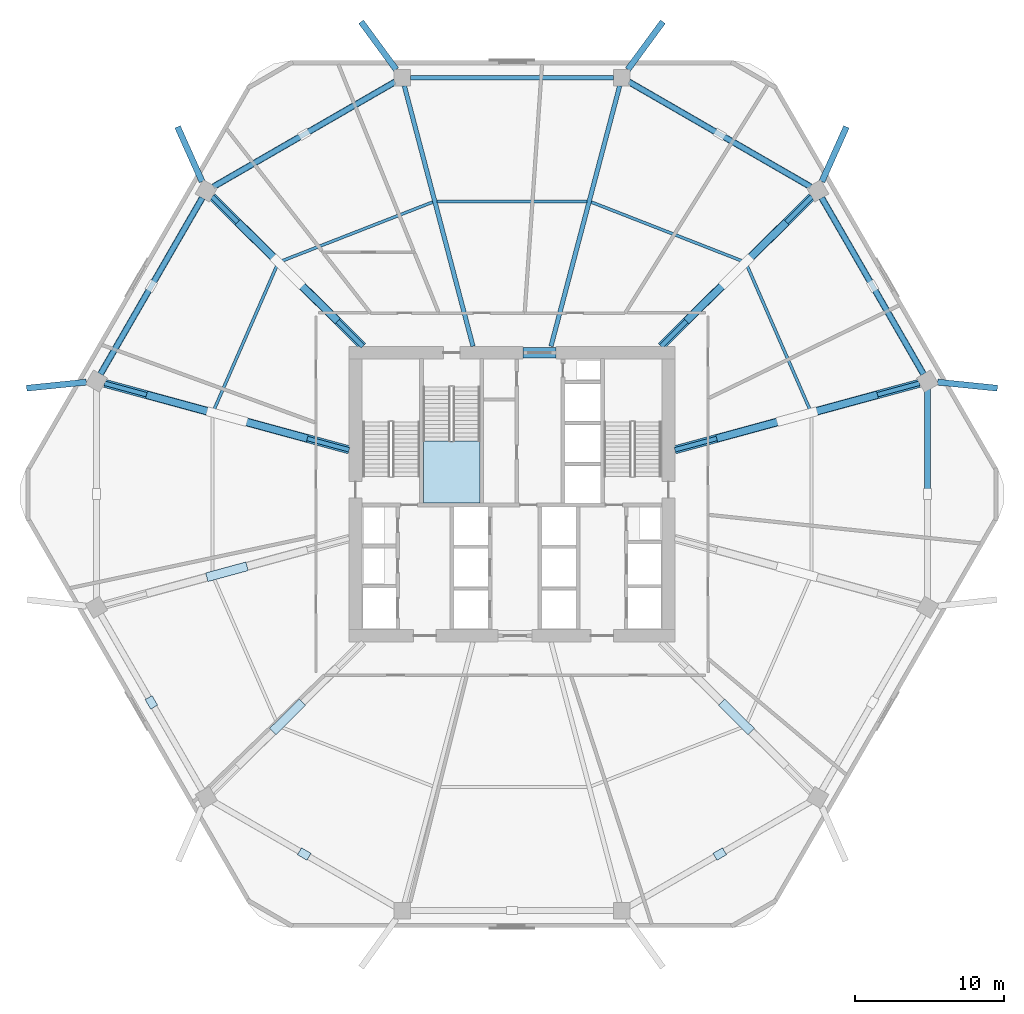
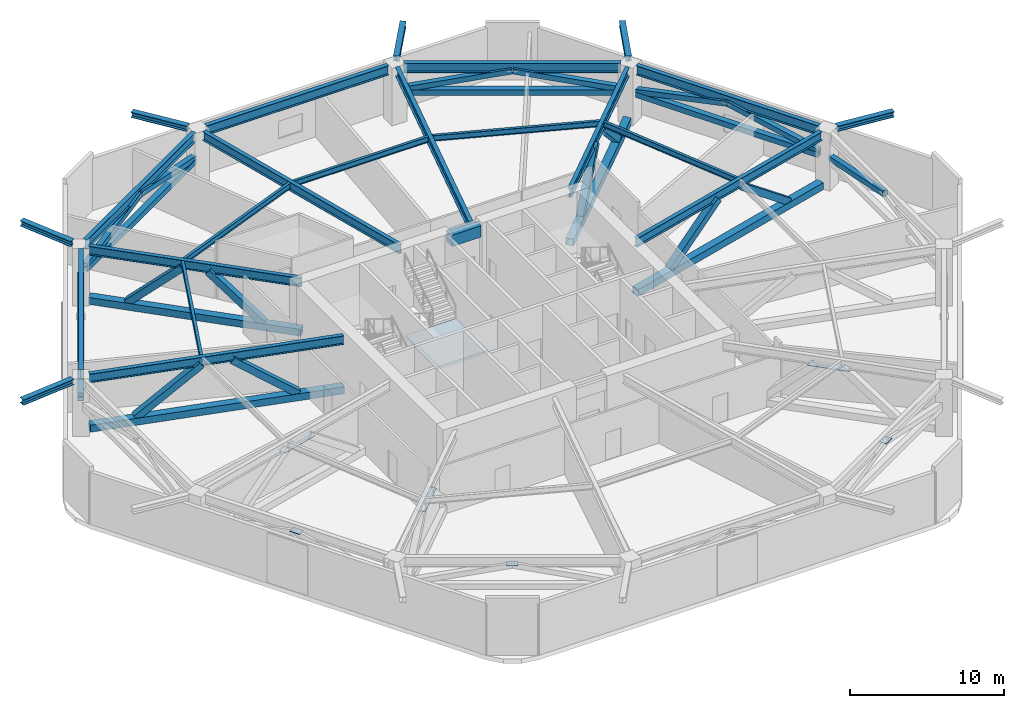
# One storey, part 2 of 10: 25 members, 23 beams, 6 plates, 1 slab, 1 element without a shape of its own.
"""IFC4 building model written with IfcOpenShell, lengths in metres."""

import ifcopenshell
import ifcopenshell.guid

model = None  # the IFC model being written
_history = None  # IfcOwnerHistory: only IFC2X3 demands one
_inside = {}  # id of a spatial element -> (the spatial element, [elements in it])
_under = {}  # id of a project, library or spatial element -> (it, [spatial elements below it])
_declared = {}  # id of a project -> (the project, [libraries it declares])
_typed = {}  # id of a type object -> (the type object, [elements of that type])
_made_of = {}  # id of a material, layer set ... -> (it, [elements and type objects made of it])


def new_model(schema):
    """Start an empty IFC model of exactly this schema.

    Asked for "IFC4X3", IfcOpenShell would pick the latest addendum, in which some entities
    have other attributes; the version numbers below select the first issue.
    IFC2X3 requires an IfcOwnerHistory on every rooted entity: one is made here for all.
    """
    global model, _history
    if schema == "IFC4X3":
        model = ifcopenshell.file(schema_version=(4, 3, 0, 0))
    else:
        model = ifcopenshell.file(schema=schema)
    _inside.clear()
    _under.clear()
    _declared.clear()
    _typed.clear()
    _made_of.clear()
    _history = None
    if model.schema == "IFC2X3":
        org = make("IfcOrganization", Name="unknown")
        user = make(
            "IfcPersonAndOrganization",
            ThePerson=make("IfcPerson", FamilyName="unknown"),
            TheOrganization=org,
        )
        app = make(
            "IfcApplication",
            ApplicationDeveloper=org,
            Version="unknown",
            ApplicationFullName="unknown",
            ApplicationIdentifier="unknown",
        )
        _history = make(
            "IfcOwnerHistory",
            OwningUser=user,
            OwningApplication=app,
            ChangeAction="ADDED",
            CreationDate=0,
        )
    return model


def make(cls, **values):
    """One entity of the class cls with the attributes given. An attribute that is None is left unset."""
    return model.create_entity(
        cls, **{name: value for name, value in values.items() if value is not None}
    )


def rooted(cls, **values):
    """An entity with a GlobalId (a new one), such as an element, a storey or a relation."""
    return make(cls, GlobalId=ifcopenshell.guid.new(), OwnerHistory=_history, **values)


def si_unit(unit_type, name, prefix=None):
    """IfcSIUnit, for example si_unit("LENGTHUNIT", "METRE", prefix="MILLI")."""
    return make("IfcSIUnit", UnitType=unit_type, Prefix=prefix, Name=name)


def assignment(units):
    """IfcUnitAssignment: the units of a project."""
    return None if units is None else make("IfcUnitAssignment", Units=units)


def point(xyz):
    """IfcCartesianPoint."""
    return None if xyz is None else make("IfcCartesianPoint", Coordinates=xyz)


def direction(xyz):
    """IfcDirection."""
    return None if xyz is None else make("IfcDirection", DirectionRatios=xyz)


def frame(location, z_axis=None, x_axis=None):
    """IfcAxis2Placement3D, a coordinate frame: its origin and axes. An axis left out is left unset."""
    return make(
        "IfcAxis2Placement3D",
        Location=point(location),
        Axis=direction(z_axis),
        RefDirection=direction(x_axis),
    )


def frame_2d(location, x_axis=None):
    """IfcAxis2Placement2D, a coordinate frame in the plane: its origin and x axis."""
    return make(
        "IfcAxis2Placement2D", Location=point(location), RefDirection=direction(x_axis)
    )


def origin():
    """The frame at (0, 0, 0) with its axes left unset."""
    return frame((0.0, 0.0, 0.0))


def origin_2d():
    """The frame at (0, 0) in the plane with its x axis left unset."""
    return frame_2d((0.0, 0.0))


def place(relative_to, where):
    """IfcLocalPlacement: puts the frame where relative to a parent placement (None: the world)."""
    return make(
        "IfcLocalPlacement", PlacementRelTo=relative_to, RelativePlacement=where
    )


def context(
    kind, dimensions, precision=None, world=None, true_north=None, identifier=None
):
    """IfcGeometricRepresentationContext, for example the 3D "Model" context."""
    return make(
        "IfcGeometricRepresentationContext",
        ContextIdentifier=identifier,
        ContextType=kind,
        CoordinateSpaceDimension=dimensions,
        Precision=precision,
        WorldCoordinateSystem=world,
        TrueNorth=true_north,
    )


def subcontext(parent, identifier, kind, view, scale=None):
    """IfcGeometricRepresentationSubContext, for example "Body" below "Model"."""
    return make(
        "IfcGeometricRepresentationSubContext",
        ContextIdentifier=identifier,
        ContextType=kind,
        ParentContext=parent,
        TargetScale=scale,
        TargetView=view,
    )


def project(units=None, contexts=None):
    """IfcProject with its units and contexts."""
    return rooted(
        "IfcProject",
        Name="project",
        RepresentationContexts=contexts,
        UnitsInContext=assignment(units),
    )


def spatial(cls, under=None, at=None, **own):
    """A site, building, storey or space (cls), placed at a placement, below another one or the project."""
    s = rooted(cls, ObjectPlacement=at, **own)
    if under is not None:
        _under.setdefault(under.id(), (under, []))[1].append(s)
    return s


def polyline(points):
    """IfcPolyline through the points."""
    return make("IfcPolyline", Points=[point(p) for p in points])


def profile(cls, at=None, kind="AREA", **sizes):
    """A parametric profile (cls). Its sizes go by their IFC names, for example OverallWidth=200.0."""
    return make(cls, ProfileType=kind, Position=at, **sizes)


def rectangle(**sizes):
    """IfcRectangleProfileDef."""
    return profile("IfcRectangleProfileDef", **sizes)


def hollow_rectangle(**sizes):
    """IfcRectangleHollowProfileDef."""
    return profile("IfcRectangleHollowProfileDef", **sizes)


def i_section(**sizes):
    """IfcIShapeProfileDef."""
    return profile("IfcIShapeProfileDef", **sizes)


def outline(outer, holes=None, kind="AREA"):
    """IfcArbitraryClosedProfileDef: a profile drawn as a closed curve; with holes, ...WithVoids."""
    if holes is None:
        return make("IfcArbitraryClosedProfileDef", ProfileType=kind, OuterCurve=outer)
    return make(
        "IfcArbitraryProfileDefWithVoids",
        ProfileType=kind,
        OuterCurve=outer,
        InnerCurves=holes,
    )


def extrude(swept, where, along, depth):
    """IfcExtrudedAreaSolid: the profile swept, set in the frame where, extruded along a direction by depth."""
    return make(
        "IfcExtrudedAreaSolid",
        SweptArea=swept,
        Position=where,
        ExtrudedDirection=direction(along),
        Depth=depth,
    )


def shape(context_of_items, identifier, shape_type, items):
    """IfcShapeRepresentation: the items that make up one representation, for example the "Body"."""
    return make(
        "IfcShapeRepresentation",
        ContextOfItems=context_of_items,
        RepresentationIdentifier=identifier,
        RepresentationType=shape_type,
        Items=items,
    )


def material(Name=None, Category=None):
    """IfcMaterial."""
    return make("IfcMaterial", Name=Name, Category=Category)


def layer(
    of_material, thickness, ventilated=None, Name=None, Category=None, Priority=None
):
    """IfcMaterialLayer: one layer of a wall or slab, of a material (None: an air gap)."""
    return make(
        "IfcMaterialLayer",
        Material=of_material,
        LayerThickness=thickness,
        IsVentilated=ventilated,
        Name=Name,
        Category=Category,
        Priority=Priority,
    )


def layer_set(layers, Name=None):
    """IfcMaterialLayerSet."""
    return make("IfcMaterialLayerSet", MaterialLayers=layers, LayerSetName=Name)


def material_profile(
    of_material, cross_section, Name=None, Category=None, Priority=None
):
    """IfcMaterialProfile: a cross section and its material."""
    return make(
        "IfcMaterialProfile",
        Name=Name,
        Material=of_material,
        Profile=cross_section,
        Priority=Priority,
        Category=Category,
    )


def profile_set(profiles, Name=None, composite=None):
    """IfcMaterialProfileSet."""
    return make(
        "IfcMaterialProfileSet",
        Name=Name,
        MaterialProfiles=profiles,
        CompositeProfile=composite,
    )


def made_of(thing, what):
    """Note that an element or type object is made of a material, layer set ...; save() writes the relation."""
    if what is not None:
        _made_of.setdefault(what.id(), (what, []))[1].append(thing)
    return thing


def type_object(cls, material=None, **own):
    """A type object (cls), such as IfcWallType, which elements share."""
    return made_of(rooted(cls, **own), material)


def element(
    cls,
    number,
    at=None,
    inside=None,
    cuts=None,
    type_object=None,
    material=None,
    context=None,
    identifier="Body",
    shape_type=None,
    held_by="IfcProductDefinitionShape",
    body=None,
    shapes=None,
    **own,
):
    """One element of the class cls, such as IfcWall. Its Tag is "e" and its number.

    at: its placement. inside: the storey or other place that contains it. cuts: it is an
    opening in that element (IfcRelVoidsElement). A single representation is given by context,
    identifier, shape_type and body (its items); several are given by shapes. held_by: the class
    of the entity that holds the representations. save() writes the other relations.
    """
    e = rooted(cls, Tag="e%d" % number, ObjectPlacement=at, **own)
    if body is not None:
        shapes = [shape(context, identifier, shape_type, body)]
    if shapes is not None:
        e.Representation = make(held_by, Representations=shapes)
    if inside is not None:
        _inside.setdefault(inside.id(), (inside, []))[1].append(e)
    if cuts is not None:
        rooted(
            "IfcRelVoidsElement", RelatingBuildingElement=cuts, RelatedOpeningElement=e
        )
    if type_object is not None:
        _typed.setdefault(type_object.id(), (type_object, []))[1].append(e)
    return made_of(e, material)


def aggregate(whole, parts):
    """IfcRelAggregates: a whole, such as a stair, and the parts it consists of."""
    return rooted("IfcRelAggregates", RelatingObject=whole, RelatedObjects=parts)


def save(model, path):
    """Write the relations noted so far, then the file.

    IfcRelAggregates (storeys below a building ...), IfcRelContainedInSpatialStructure (elements
    in a storey), IfcRelDefinesByType, IfcRelAssociatesMaterial and IfcRelDeclares: one each for
    every whole, place, type object, material and project.
    """
    for whole, parts in _under.values():
        aggregate(whole, parts)
    for where, things in _inside.values():
        rooted(
            "IfcRelContainedInSpatialStructure",
            RelatedElements=things,
            RelatingStructure=where,
        )
    for kind, things in _typed.values():
        rooted("IfcRelDefinesByType", RelatedObjects=things, RelatingType=kind)
    for what, things in _made_of.values():
        rooted("IfcRelAssociatesMaterial", RelatedObjects=things, RelatingMaterial=what)
    for by, libraries in _declared.values():
        rooted("IfcRelDeclares", RelatingContext=by, RelatedDefinitions=libraries)
    model.write(path)


model = new_model("IFC4")

# Units and contexts
model_context = context("Model", 3, precision=1e-05, world=origin(), true_north=direction((0.0, 1.0)))
body_context = subcontext(model_context, "Body", "Model", "MODEL_VIEW")
ifc_project = project(units=[si_unit("LENGTHUNIT", "METRE"), si_unit("AREAUNIT", "SQUARE_METRE"), si_unit("VOLUMEUNIT", "CUBIC_METRE"), si_unit("PLANEANGLEUNIT", "RADIAN"), si_unit("MASSUNIT", "GRAM", prefix="KILO")], contexts=[model_context])

# Site, building, storey
site_placement = place(None, origin())
site = spatial("IfcSite", under=ifc_project, at=site_placement, CompositionType="ELEMENT")
building_placement = place(site_placement, origin())
building = spatial("IfcBuilding", under=site, at=building_placement, Name="Zuhravey Tower", CompositionType="ELEMENT")
storey_placement = place(building_placement, frame((0.0, 0.0, 87.60009765625)))
storey = spatial("IfcBuildingStorey", under=building, at=storey_placement, Name="L21", CompositionType="ELEMENT", Elevation=87.60009765625)

# Members
ifc_material_1 = material(Name="Steel SM355", Category="steel")
ifc_material_profile_1 = material_profile(ifc_material_1, hollow_rectangle(XDim=0.419921875, YDim=0.419921875, WallThickness=0.028076171875, at=origin_2d()), Name="RHS-420x420x28")
ifc_profile_set_1 = profile_set([ifc_material_profile_1], Name="Steel SM355")
member_type_1 = type_object("IfcMemberType", Name="Belt Truss Chord RHS420x420", PredefinedType="CHORD", material=ifc_profile_set_1)
member_1_placement = place(storey_placement, frame((63.611572265625, 40.072265625, 2.27001953125), z_axis=(-0.500009294004, 0.866020037822, 0.0), x_axis=(-0.866020037822, -0.500009294004, 0.0)))
element("IfcMember", 1, at=member_1_placement, inside=storey, type_object=member_type_1, Name="L21 Belt Truss Bottom Chord BTC1-01", PredefinedType="CHORD", context=body_context, shape_type="SweptSolid", body=[
    extrude(hollow_rectangle(XDim=0.419921875, YDim=0.419921875, WallThickness=0.028076171875, at=origin_2d()), origin(), (0.0, 0.0, 1.0), 13.630126953125),
])
for number, where, z_axis, x_axis, name in (
    (2, (56.038330078125, 52.634521484375, 2.27001953125), (-0.866032185384, 0.49998825374, 0.0), (-0.49998825374, -0.866032185384, 0.0), "L21 Belt Truss Bottom Chord BTC1-02"),
    (3, (28.1494140625, 59.6708984375, 2.27001953125), (-0.866032185384, -0.49998825374, 0.0), (0.49998825374, -0.866032185384, 0.0), "L21 Belt Truss Bottom Chord BTC1-03"),
):
    element("IfcMember", number, at=place(storey_placement, frame(where, z_axis=z_axis, x_axis=x_axis)), inside=storey, type_object=member_type_1, Name=name, PredefinedType="CHORD", context=body_context, shape_type="SweptSolid", body=[
        extrude(hollow_rectangle(XDim=0.419921875, YDim=0.419921875, WallThickness=0.028076171875, at=origin_2d()), origin(), (0.0, 0.0, 1.0), 14.072998046875),
    ])
member_2_placement = place(storey_placement, frame((15.20361328125, 51.876220703125, 2.27001953125), z_axis=(-0.500009294004, -0.866020037822, 0.0), x_axis=(0.866020037822, -0.500009294004, 0.0)))
element("IfcMember", 4, at=member_2_placement, inside=storey, type_object=member_type_1, Name="L21 Belt Truss Bottom Chord BTC1-04", PredefinedType="CHORD", context=body_context, shape_type="SweptSolid", body=[
    extrude(hollow_rectangle(XDim=0.419921875, YDim=0.419921875, WallThickness=0.028076171875, at=origin_2d()), origin(), (0.0, 0.0, 1.0), 13.630126953125),
])
ifc_material_profile_2 = material_profile(ifc_material_1, hollow_rectangle(XDim=0.39990234375, YDim=0.39990234375, WallThickness=0.02490234375, at=origin_2d()), Name="RHS-400x400x25")
ifc_profile_set_2 = profile_set([ifc_material_profile_2], Name="Steel SM355")
member_type_2 = type_object("IfcMemberType", Name="Belt Truss Diagonal RHS400x400", PredefinedType="BRACE", material=ifc_profile_set_2)
for number, where, z_axis, x_axis, name in (
    (5, (63.604248046875, 40.0849609375, 2.492919921875), (-0.489191555896, 0.847316295851, 0.206752790613), (-0.86602838478, -0.499994836728, 0.0), "L21 Belt Truss Diagonal BTD1-01.1"),
    (6, (56.803955078125, 51.863525390625, 2.492919921875), (0.489191555896, -0.847316295851, 0.206752790613), (0.86602838478, 0.499994836728, 0.0), "L21 Belt Truss Diagonal BTD1-01.2"),
):
    element("IfcMember", number, at=place(storey_placement, frame(where, z_axis=z_axis, x_axis=x_axis)), inside=storey, type_object=member_type_2, Name=name, PredefinedType="BRACE", context=body_context, shape_type="SweptSolid", body=[
        extrude(hollow_rectangle(XDim=0.39990234375, YDim=0.39990234375, WallThickness=0.02490234375, at=origin_2d()), origin(), (0.0, 0.0, 1.0), 6.925537109375),
    ])
for number, where, z_axis, x_axis, name in (
    (7, (56.025634765625, 52.641845703125, 2.492919921875), (-0.848448982471, 0.489838198252, 0.200481579396), (-0.499989243959, -0.866031613699, 0.0), "L21 Belt Truss Diagonal BTD1-02.1"),
    (8, (43.86328125, 59.66357421875, 2.492919921875), (0.848458557804, -0.489823992157, 0.200475765108), (0.499974136273, 0.866040335699, 0.0), "L21 Belt Truss Diagonal BTD1-02.2"),
    (9, (28.13671875, 59.66357421875, 2.492919921875), (-0.848458557804, -0.489823992157, 0.200475765108), (0.499974136273, -0.866040335699, 0.0), "L21 Belt Truss Diagonal BTD1-03.1"),
    (10, (15.974365234375, 52.641845703125, 2.492919921875), (0.848448982471, 0.489838198252, 0.200481579396), (-0.499989243959, 0.866031613699, 0.0), "L21 Belt Truss Diagonal BTD1-03.2"),
):
    element("IfcMember", number, at=place(storey_placement, frame(where, z_axis=z_axis, x_axis=x_axis)), inside=storey, type_object=member_type_2, Name=name, PredefinedType="BRACE", context=body_context, shape_type="SweptSolid", body=[
        extrude(hollow_rectangle(XDim=0.39990234375, YDim=0.39990234375, WallThickness=0.02490234375, at=origin_2d()), origin(), (0.0, 0.0, 1.0), 7.142333984375),
    ])
for number, where, z_axis, x_axis, name in (
    (11, (15.196044921875, 51.863525390625, 2.492919921875), (-0.489164739326, -0.847330907642, 0.206756356021), (0.866043986184, -0.499967812959, 0.0), "L21 Belt Truss Diagonal BTD1-04.1"),
    (12, (8.395751953125, 40.0849609375, 2.492919921875), (0.489191555896, 0.847316295851, 0.206752790613), (-0.86602838478, 0.499994836728, 0.0), "L21 Belt Truss Diagonal BTD1-04.2"),
):
    element("IfcMember", number, at=place(storey_placement, frame(where, z_axis=z_axis, x_axis=x_axis)), inside=storey, type_object=member_type_2, Name=name, PredefinedType="BRACE", context=body_context, shape_type="SweptSolid", body=[
        extrude(hollow_rectangle(XDim=0.39990234375, YDim=0.39990234375, WallThickness=0.02490234375, at=origin_2d()), origin(), (0.0, 0.0, 1.0), 6.925537109375),
    ])
member_3_placement = place(storey_placement, frame((63.88916015625, 39.02197265625, 2.492919921875), z_axis=(0.0, -0.979699372428, 0.200472291511), x_axis=(1.0, 0.0, 0.0)))
element("IfcMember", 13, at=member_3_placement, inside=storey, type_object=member_type_2, Name="L21 Belt Truss Diagonal BTD1-11.2", PredefinedType="BRACE", context=body_context, shape_type="SweptSolid", body=[
    extrude(hollow_rectangle(XDim=0.39990234375, YDim=0.39990234375, WallThickness=0.02490234375, at=origin_2d()), origin(), (0.0, 0.0, 1.0), 7.142578125),
])

# Beams
ifc_material_2 = material(Name="Concrete C60/75", Category="concrete")
ifc_material_profile_3 = material_profile(ifc_material_2, rectangle(XDim=0.699951171875, YDim=0.89990234375, at=origin_2d()), Name="RC-700x900")
ifc_profile_set_3 = profile_set([ifc_material_profile_3], Name="Concrete C60/75")
beam_type_1 = type_object("IfcBeamType", Name="Core Coupling Beam RC700x900", PredefinedType="LINTEL", material=ifc_profile_set_3)
beam_1_placement = place(storey_placement, frame((36.751953125, 41.5, 4.099853515625), z_axis=(1.0, 0.0, 0.0), x_axis=(0.0, 1.0, 0.0)))
element("IfcBeam", 14, at=beam_1_placement, inside=storey, type_object=beam_type_1, Name="L21 CB1 BM-L21-CB-N", PredefinedType="LINTEL", context=body_context, shape_type="SweptSolid", body=[
    extrude(rectangle(XDim=0.699951171875, YDim=0.89990234375, at=origin_2d()), origin(), (0.0, 0.0, 1.0), 2.196044921875),
])
ifc_material_3 = material(Name="Steel SM460", Category="steel")
ifc_material_profile_4 = material_profile(ifc_material_3, i_section(OverallWidth=0.406982421875, OverallDepth=0.427978515625, WebThickness=0.02001953125, FlangeThickness=0.034912109375, at=origin_2d()), Name="H-428x407x20x35")
ifc_profile_set_4 = profile_set([ifc_material_profile_4], Name="Steel SM460")
beam_type_2 = type_object("IfcBeamType", Name="Exoskeleton Node Tie Beam H428x407", PredefinedType="BEAM", material=ifc_profile_set_4)
for number, where, z_axis, x_axis, name in (
    (15, (64.568115234375, 39.522216796875, 4.3359375), (0.994800353408, -0.101844277497, 0.0), (0.101844277497, 0.994800353408, 0.0), "L21 Exoskeleton Node Tie NT1-01"),
    (16, (56.79833984375, 52.979736328125, 4.3359375), (0.409257806705, 0.91241878962, 0.0), (-0.91241878962, 0.409257806705, 0.0), "L21 Exoskeleton Node Tie NT1-02"),
):
    element("IfcBeam", number, at=place(storey_placement, frame(where, z_axis=z_axis, x_axis=x_axis)), inside=storey, type_object=beam_type_2, Name=name, PredefinedType="BEAM", context=body_context, shape_type="SweptSolid", body=[
        extrude(i_section(OverallWidth=0.406982421875, OverallDepth=0.427978515625, WebThickness=0.02001953125, FlangeThickness=0.034912109375, at=origin_2d()), origin(), (0.0, 0.0, 1.0), 4.02734375),
    ])
for number, where, z_axis, x_axis, name in (
    (17, (43.776123046875, 60.501708984375, 4.3359375), (0.591653859, 0.806192105599, 0.0), (-0.806192105599, 0.591653859, 0.0), "L21 Exoskeleton Node Tie NT1-03"),
    (18, (28.223876953125, 60.501708984375, 4.3359375), (-0.591653859, 0.806192105599, 0.0), (-0.806192105599, -0.591653859, 0.0), "L21 Exoskeleton Node Tie NT1-04"),
):
    element("IfcBeam", number, at=place(storey_placement, frame(where, z_axis=z_axis, x_axis=x_axis)), inside=storey, type_object=beam_type_2, Name=name, PredefinedType="BEAM", context=body_context, shape_type="SweptSolid", body=[
        extrude(i_section(OverallWidth=0.406982421875, OverallDepth=0.427978515625, WebThickness=0.02001953125, FlangeThickness=0.034912109375, at=origin_2d()), origin(), (0.0, 0.0, 1.0), 3.974853515625),
    ])
for number, where, z_axis, x_axis, name in (
    (19, (15.20166015625, 52.979736328125, 4.3359375), (-0.409257806705, 0.91241878962, 0.0), (-0.91241878962, -0.409257806705, 0.0), "L21 Exoskeleton Node Tie NT1-05"),
    (20, (7.431884765625, 39.522216796875, 4.3359375), (-0.994800353408, -0.101844277497, 0.0), (0.101844277497, -0.994800353408, 0.0), "L21 Exoskeleton Node Tie NT1-06"),
):
    element("IfcBeam", number, at=place(storey_placement, frame(where, z_axis=z_axis, x_axis=x_axis)), inside=storey, type_object=beam_type_2, Name=name, PredefinedType="BEAM", context=body_context, shape_type="SweptSolid", body=[
        extrude(i_section(OverallWidth=0.406982421875, OverallDepth=0.427978515625, WebThickness=0.02001953125, FlangeThickness=0.034912109375, at=origin_2d()), origin(), (0.0, 0.0, 1.0), 4.02734375),
    ])

# Members
ifc_material_profile_5 = material_profile(ifc_material_3, hollow_rectangle(XDim=0.550048828125, YDim=0.550048828125, WallThickness=0.034912109375, at=origin_2d()), Name="RHS-550x550x35")
ifc_profile_set_5 = profile_set([ifc_material_profile_5], Name="Steel SM460")
member_type_3 = type_object("IfcMemberType", Name="Outrigger Truss Chord RHS550x550", PredefinedType="CHORD", material=ifc_profile_set_5)
member_4_placement = place(storey_placement, frame((46.932861328125, 34.97607421875, 0.31982421875), z_axis=(0.964891967794, 0.262647083531, 0.0), x_axis=(-0.262647083531, 0.964891967794, 0.0)))
element("IfcMember", 21, at=member_4_placement, inside=storey, type_object=member_type_3, Name="L21 Outrigger Bottom Chord OTC1-01", PredefinedType="CHORD", context=body_context, shape_type="SweptSolid", body=[
    extrude(hollow_rectangle(XDim=0.550048828125, YDim=0.550048828125, WallThickness=0.034912109375, at=origin_2d()), origin(), (0.0, 0.0, 1.0), 16.99951171875),
])
for number, where, z_axis, x_axis, name in (
    (22, (46.010498046875, 41.931640625, 0.31982421875), (0.709906594585, 0.704295837674, 0.0), (-0.704295837674, 0.709906594585, 0.0), "L21 Outrigger Bottom Chord OTC1-02"),
    (23, (25.989501953125, 41.931640625, 0.31982421875), (-0.709906594585, 0.704295837674, 0.0), (-0.704295837674, -0.709906594585, 0.0), "L21 Outrigger Bottom Chord OTC1-03"),
):
    element("IfcMember", number, at=place(storey_placement, frame(where, z_axis=z_axis, x_axis=x_axis)), inside=storey, type_object=member_type_3, Name=name, PredefinedType="CHORD", context=body_context, shape_type="SweptSolid", body=[
        extrude(hollow_rectangle(XDim=0.550048828125, YDim=0.550048828125, WallThickness=0.034912109375, at=origin_2d()), origin(), (0.0, 0.0, 1.0), 14.228759765625),
    ])
member_5_placement = place(storey_placement, frame((25.067138671875, 34.97607421875, 0.31982421875), z_axis=(-0.964891967794, 0.262647083531, 0.0), x_axis=(-0.262647083531, -0.964891967794, 0.0)))
element("IfcMember", 24, at=member_5_placement, inside=storey, type_object=member_type_3, Name="L21 Outrigger Bottom Chord OTC1-04", PredefinedType="CHORD", context=body_context, shape_type="SweptSolid", body=[
    extrude(hollow_rectangle(XDim=0.550048828125, YDim=0.550048828125, WallThickness=0.034912109375, at=origin_2d()), origin(), (0.0, 0.0, 1.0), 16.99951171875),
])
ifc_material_profile_6 = material_profile(ifc_material_3, hollow_rectangle(XDim=0.5, YDim=0.5, WallThickness=0.031982421875, at=origin_2d()), Name="RHS-500x500x32")
ifc_profile_set_6 = profile_set([ifc_material_profile_6], Name="Steel SM460")
member_type_4 = type_object("IfcMemberType", Name="Outrigger Truss Diagonal RHS500x500", PredefinedType="BRACE", material=ifc_profile_set_6)
for number, where, z_axis, x_axis, name in (
    (25, (49.88525390625, 35.779541015625, 0.559814453125), (0.763098125474, 0.207724501181, 0.611990018306), (-0.262654654638, 0.964889906879, 0.0), "L21 Outrigger Diagonal OTD1-01.1"),
    (26, (60.383056640625, 38.63720703125, 0.559814453125), (-0.763098125474, -0.207724501181, 0.611990018306), (0.262654654638, -0.964889906879, 0.0), "L21 Outrigger Diagonal OTD1-01.2"),
):
    element("IfcMember", number, at=place(storey_placement, frame(where, z_axis=z_axis, x_axis=x_axis)), inside=storey, type_object=member_type_4, Name=name, PredefinedType="BRACE", context=body_context, shape_type="SweptSolid", body=[
        extrude(hollow_rectangle(XDim=0.5, YDim=0.5, WallThickness=0.031982421875, at=origin_2d()), origin(), (0.0, 0.0, 1.0), 5.588623046875),
    ])
for number, where, z_axis, x_axis, name in (
    (27, (47.828857421875, 43.7353515625, 0.559814453125), (0.52126602479, 0.517147068566, 0.678852444109), (-0.704296439771, 0.709905997246, 0.0), "L21 Outrigger Diagonal OTD1-02.1"),
    (28, (54.29345703125, 50.14892578125, 0.559814453125), (-0.52126602479, -0.517147068566, 0.678852444109), (0.704296439771, -0.709905997246, 0.0), "L21 Outrigger Diagonal OTD1-02.2"),
    (29, (24.171142578125, 43.7353515625, 0.559814453125), (-0.52126602479, 0.517147068566, 0.678852444109), (-0.704296439771, -0.709905997246, 0.0), "L21 Outrigger Diagonal OTD1-03.1"),
    (30, (17.70654296875, 50.14892578125, 0.559814453125), (0.52126602479, -0.517147068566, 0.678852444109), (0.704296439771, 0.709905997246, 0.0), "L21 Outrigger Diagonal OTD1-03.2"),
):
    element("IfcMember", number, at=place(storey_placement, frame(where, z_axis=z_axis, x_axis=x_axis)), inside=storey, type_object=member_type_4, Name=name, PredefinedType="BRACE", context=body_context, shape_type="SweptSolid", body=[
        extrude(hollow_rectangle(XDim=0.5, YDim=0.5, WallThickness=0.031982421875, at=origin_2d()), origin(), (0.0, 0.0, 1.0), 5.0380859375),
    ])
for number, where, z_axis, x_axis, name in (
    (31, (22.11474609375, 35.779541015625, 0.559814453125), (-0.763098125474, 0.207724501181, 0.611990018306), (-0.262654654638, -0.964889906879, 0.0), "L21 Outrigger Diagonal OTD1-04.1"),
    (32, (11.616943359375, 38.63720703125, 0.559814453125), (0.763098125474, -0.207724501181, 0.611990018306), (0.262654654638, 0.964889906879, 0.0), "L21 Outrigger Diagonal OTD1-04.2"),
):
    element("IfcMember", number, at=place(storey_placement, frame(where, z_axis=z_axis, x_axis=x_axis)), inside=storey, type_object=member_type_4, Name=name, PredefinedType="BRACE", context=body_context, shape_type="SweptSolid", body=[
        extrude(hollow_rectangle(XDim=0.5, YDim=0.5, WallThickness=0.031982421875, at=origin_2d()), origin(), (0.0, 0.0, 1.0), 5.588623046875),
    ])

# Beams
ifc_material_profile_7 = material_profile(ifc_material_1, i_section(OverallWidth=0.320068359375, OverallDepth=0.75, WebThickness=0.013916015625, FlangeThickness=0.02490234375, at=origin_2d()), Name="H-750x320x14x25")
ifc_profile_set_7 = profile_set([ifc_material_profile_7], Name="Steel SM355")
beam_type_3 = type_object("IfcBeamType", Name="Perimeter Ring Beam H750x320", PredefinedType="BEAM", material=ifc_profile_set_7)
beam_2_placement = place(storey_placement, frame((63.612548828125, 40.070556640625, 4.1748046875), z_axis=(-0.500008177929, 0.866020682204, 0.0), x_axis=(-0.866020682204, -0.500008177929, 0.0)))
element("IfcBeam", 33, at=beam_2_placement, inside=storey, type_object=beam_type_3, Name="L21 PB1 BM-L21-PB-01", PredefinedType="BEAM", context=body_context, shape_type="SweptSolid", body=[
    extrude(i_section(OverallWidth=0.320068359375, OverallDepth=0.75, WebThickness=0.013916015625, FlangeThickness=0.02490234375, at=origin_2d()), origin(), (0.0, 0.0, 1.0), 13.634033203125),
])
beam_3_placement = place(storey_placement, frame((56.0400390625, 52.63330078125, 4.1748046875), z_axis=(-0.866017786538, 0.500013193225, 0.0), x_axis=(-0.500013193225, -0.866017786538, 0.0)))
element("IfcBeam", 34, at=beam_3_placement, inside=storey, type_object=beam_type_3, Name="L21 PB1 BM-L21-PB-02", PredefinedType="BEAM", context=body_context, shape_type="SweptSolid", body=[
    extrude(i_section(OverallWidth=0.320068359375, OverallDepth=0.75, WebThickness=0.013916015625, FlangeThickness=0.02490234375, at=origin_2d()), origin(), (0.0, 0.0, 1.0), 14.0771484375),
])
beam_4_placement = place(storey_placement, frame((42.81689453125, 59.948486328125, 4.1748046875), z_axis=(-1.0, 0.0, 0.0), x_axis=(0.0, -1.0, 0.0)))
element("IfcBeam", 35, at=beam_4_placement, inside=storey, type_object=beam_type_3, Name="L21 PB1 BM-L21-PB-03", PredefinedType="BEAM", context=body_context, shape_type="SweptSolid", body=[
    extrude(i_section(OverallWidth=0.320068359375, OverallDepth=0.75, WebThickness=0.013916015625, FlangeThickness=0.02490234375, at=origin_2d()), origin(), (0.0, 0.0, 1.0), 13.6337890625),
])
beam_5_placement = place(storey_placement, frame((28.151123046875, 59.672119140625, 4.1748046875), z_axis=(-0.866017786538, -0.500013193225, 0.0), x_axis=(0.500013193225, -0.866017786538, 0.0)))
element("IfcBeam", 36, at=beam_5_placement, inside=storey, type_object=beam_type_3, Name="L21 PB1 BM-L21-PB-04", PredefinedType="BEAM", context=body_context, shape_type="SweptSolid", body=[
    extrude(i_section(OverallWidth=0.320068359375, OverallDepth=0.75, WebThickness=0.013916015625, FlangeThickness=0.02490234375, at=origin_2d()), origin(), (0.0, 0.0, 1.0), 14.0771484375),
])
beam_6_placement = place(storey_placement, frame((15.20458984375, 51.8779296875, 4.1748046875), z_axis=(-0.500008177929, -0.866020682204, 0.0), x_axis=(0.866020682204, -0.500008177929, 0.0)))
element("IfcBeam", 37, at=beam_6_placement, inside=storey, type_object=beam_type_3, Name="L21 PB1 BM-L21-PB-05", PredefinedType="BEAM", context=body_context, shape_type="SweptSolid", body=[
    extrude(i_section(OverallWidth=0.320068359375, OverallDepth=0.75, WebThickness=0.013916015625, FlangeThickness=0.02490234375, at=origin_2d()), origin(), (0.0, 0.0, 1.0), 13.634033203125),
])
ifc_material_profile_8 = material_profile(ifc_material_1, i_section(OverallWidth=0.300048828125, OverallDepth=0.699951171875, WebThickness=0.012939453125, FlangeThickness=0.02392578125, at=origin_2d()), Name="H-700x300x13x24")
ifc_profile_set_8 = profile_set([ifc_material_profile_8], Name="Steel SM355")
beam_type_4 = type_object("IfcBeamType", Name="Radial Primary Girder H700x300", PredefinedType="BEAM", material=ifc_profile_set_8)
beam_7_placement = place(storey_placement, frame((46.927978515625, 34.974609375, 4.199951171875), z_axis=(0.964891112932, 0.262650224032, 0.0), x_axis=(-0.262650224032, 0.964891112932, 0.0)))
element("IfcBeam", 38, at=beam_7_placement, inside=storey, type_object=beam_type_4, Name="L21 RG1 BM-L21-RAD-01", PredefinedType="BEAM", context=body_context, shape_type="SweptSolid", body=[
    extrude(i_section(OverallWidth=0.300048828125, OverallDepth=0.699951171875, WebThickness=0.012939453125, FlangeThickness=0.02392578125, at=origin_2d()), origin(), (0.0, 0.0, 1.0), 17.025146484375),
])
beam_8_placement = place(storey_placement, frame((46.007080078125, 41.927978515625, 4.199951171875), z_axis=(0.709901518563, 0.704300954097, 0.0), x_axis=(-0.704300954097, 0.709901518563, 0.0)))
element("IfcBeam", 39, at=beam_8_placement, inside=storey, type_object=beam_type_4, Name="L21 RG1 BM-L21-RAD-02", PredefinedType="BEAM", context=body_context, shape_type="SweptSolid", body=[
    extrude(i_section(OverallWidth=0.300048828125, OverallDepth=0.699951171875, WebThickness=0.012939453125, FlangeThickness=0.02392578125, at=origin_2d()), origin(), (0.0, 0.0, 1.0), 14.254638671875),
])
for number, where, z_axis, x_axis, name in (
    (40, (38.617919921875, 41.927978515625, 4.199951171875), (0.254987019627, 0.96694447608, 0.0), (-0.96694447608, 0.254987019627, 0.0), "L21 RG1 BM-L21-RAD-03"),
    (41, (33.382080078125, 41.927978515625, 4.199951171875), (-0.254987019627, 0.96694447608, 0.0), (-0.96694447608, -0.254987019627, 0.0), "L21 RG1 BM-L21-RAD-04"),
):
    element("IfcBeam", number, at=place(storey_placement, frame(where, z_axis=z_axis, x_axis=x_axis)), inside=storey, type_object=beam_type_4, Name=name, PredefinedType="BEAM", context=body_context, shape_type="SweptSolid", body=[
        extrude(i_section(OverallWidth=0.300048828125, OverallDepth=0.699951171875, WebThickness=0.012939453125, FlangeThickness=0.02392578125, at=origin_2d()), origin(), (0.0, 0.0, 1.0), 18.08349609375),
    ])
beam_9_placement = place(storey_placement, frame((25.992919921875, 41.927978515625, 4.199951171875), z_axis=(-0.709901518563, 0.704300954097, 0.0), x_axis=(-0.704300954097, -0.709901518563, 0.0)))
element("IfcBeam", 42, at=beam_9_placement, inside=storey, type_object=beam_type_4, Name="L21 RG1 BM-L21-RAD-05", PredefinedType="BEAM", context=body_context, shape_type="SweptSolid", body=[
    extrude(i_section(OverallWidth=0.300048828125, OverallDepth=0.699951171875, WebThickness=0.012939453125, FlangeThickness=0.02392578125, at=origin_2d()), origin(), (0.0, 0.0, 1.0), 14.254638671875),
])
beam_10_placement = place(storey_placement, frame((25.072021484375, 34.974609375, 4.199951171875), z_axis=(-0.964891112932, 0.262650224032, 0.0), x_axis=(-0.262650224032, -0.964891112932, 0.0)))
element("IfcBeam", 43, at=beam_10_placement, inside=storey, type_object=beam_type_4, Name="L21 RG1 BM-L21-RAD-06", PredefinedType="BEAM", context=body_context, shape_type="SweptSolid", body=[
    extrude(i_section(OverallWidth=0.300048828125, OverallDepth=0.699951171875, WebThickness=0.012939453125, FlangeThickness=0.02392578125, at=origin_2d()), origin(), (0.0, 0.0, 1.0), 17.025146484375),
])
ifc_material_profile_9 = material_profile(ifc_material_1, i_section(OverallWidth=0.199951171875, OverallDepth=0.449951171875, WebThickness=0.009033203125, FlangeThickness=0.013916015625, at=origin_2d()), Name="H-450x200x9x14")
ifc_profile_set_9 = profile_set([ifc_material_profile_9], Name="Steel SM355")
beam_type_5 = type_object("IfcBeamType", Name="Secondary Floor Joist H450x200", PredefinedType="JOIST", material=ifc_profile_set_9)
beam_11_placement = place(storey_placement, frame((56.025390625, 37.60888671875, 4.324951171875), z_axis=(-0.399923551578, 0.916548500022, 0.0), x_axis=(-0.916548500022, -0.399923551578, 0.0)))
element("IfcBeam", 44, at=beam_11_placement, inside=storey, type_object=beam_type_5, Name="L21 SJ1 BM-L21-SJ-01-1", PredefinedType="JOIST", context=body_context, shape_type="SweptSolid", body=[
    extrude(i_section(OverallWidth=0.199951171875, OverallDepth=0.449951171875, WebThickness=0.009033203125, FlangeThickness=0.013916015625, at=origin_2d()), origin(), (0.0, 0.0, 1.0), 10.70263671875),
])
beam_12_placement = place(storey_placement, frame((51.5400390625, 47.61572265625, 4.324951171875), z_axis=(-0.931516535886, 0.363698973562, 0.0), x_axis=(-0.363698973562, -0.931516535886, 0.0)))
element("IfcBeam", 45, at=beam_12_placement, inside=storey, type_object=beam_type_5, Name="L21 SJ1 BM-L21-SJ-02-1", PredefinedType="JOIST", context=body_context, shape_type="SweptSolid", body=[
    extrude(i_section(OverallWidth=0.199951171875, OverallDepth=0.449951171875, WebThickness=0.009033203125, FlangeThickness=0.013916015625, at=origin_2d()), origin(), (0.0, 0.0, 1.0), 10.963134765625),
])
beam_13_placement = place(storey_placement, frame((41.030029296875, 51.6591796875, 4.324951171875), z_axis=(-1.0, 0.0, 0.0), x_axis=(0.0, -1.0, 0.0)))
element("IfcBeam", 46, at=beam_13_placement, inside=storey, type_object=beam_type_5, Name="L21 SJ1 BM-L21-SJ-03-1", PredefinedType="JOIST", context=body_context, shape_type="SweptSolid", body=[
    extrude(i_section(OverallWidth=0.199951171875, OverallDepth=0.449951171875, WebThickness=0.009033203125, FlangeThickness=0.013916015625, at=origin_2d()), origin(), (0.0, 0.0, 1.0), 10.06005859375),
])
beam_14_placement = place(storey_placement, frame((30.67236328125, 51.60302734375, 4.324951171875), z_axis=(-0.931516535886, -0.363698973562, 0.0), x_axis=(0.363698973562, -0.931516535886, 0.0)))
element("IfcBeam", 47, at=beam_14_placement, inside=storey, type_object=beam_type_5, Name="L21 SJ1 BM-L21-SJ-04-1", PredefinedType="JOIST", context=body_context, shape_type="SweptSolid", body=[
    extrude(i_section(OverallWidth=0.199951171875, OverallDepth=0.449951171875, WebThickness=0.009033203125, FlangeThickness=0.013916015625, at=origin_2d()), origin(), (0.0, 0.0, 1.0), 10.963134765625),
])
beam_15_placement = place(storey_placement, frame((20.2548828125, 47.41845703125, 4.324951171875), z_axis=(-0.399923551578, -0.916548500022, 0.0), x_axis=(0.916548500022, -0.399923551578, 0.0)))
element("IfcBeam", 48, at=beam_15_placement, inside=storey, type_object=beam_type_5, Name="L21 SJ1 BM-L21-SJ-05-1", PredefinedType="JOIST", context=body_context, shape_type="SweptSolid", body=[
    extrude(i_section(OverallWidth=0.199951171875, OverallDepth=0.449951171875, WebThickness=0.009033203125, FlangeThickness=0.013916015625, at=origin_2d()), origin(), (0.0, 0.0, 1.0), 10.70263671875),
])

# Plates
ifc_layer_1 = layer(ifc_material_3, 0.031982421875)
ifc_layer_set_1 = layer_set([ifc_layer_1], Name="Steel SM460")
plate_type_1 = type_object("IfcPlateType", Name="Belt Truss Setback Node Plate ND7", PredefinedType="SHEET", material=ifc_layer_set_1)
for number, where, z_axis, x_axis, name in (
    (49, (11.7958984375, 18.025634765625, 3.93408203125), (0.0, 0.0, 1.0), (0.5, -0.866025403784, 0.0), "L21 Belt Truss Apex Gusset ND7-06"),
    (50, (22.055419921875, 7.847412109375, 3.93408203125), (0.0, 0.0, 1.0), (0.866025403784, -0.5, 0.0), "L21 Belt Truss Apex Gusset ND7-07"),
    (51, (49.944580078125, 7.847412109375, 3.93408203125), (0.0, 0.0, 1.0), (0.866025403784, 0.5, 0.0), "L21 Belt Truss Apex Gusset ND7-09"),
):
    element("IfcPlate", number, at=place(storey_placement, frame(where, z_axis=z_axis, x_axis=x_axis)), inside=storey, type_object=plate_type_1, Name=name, PredefinedType="SHEET", context=body_context, shape_type="SweptSolid", body=[
        extrude(rectangle(XDim=0.739990234375, YDim=0.5400390625, at=origin_2d()), origin(), (0.0, 0.0, 1.0), 0.031982421875),
    ])
ifc_layer_2 = layer(ifc_material_3, 0.035888671875)
ifc_layer_set_2 = layer_set([ifc_layer_2], Name="Steel SM460")
plate_type_2 = type_object("IfcPlateType", Name="Outrigger Core Node Plate ND6", PredefinedType="SHEET", material=ifc_layer_set_2)
for number, where, z_axis, x_axis, name in (
    (52, (16.865966796875, 26.79150390625, 3.8134765625), (0.0, 0.0, 1.0), (-0.964879080263, -0.262694424132, 0.0), "L21 Outrigger Apex Node Plate ND6-05M"),
    (53, (20.93896484375, 17.057861328125, 3.8134765625), (0.0, 0.0, 1.0), (-0.709939584863, -0.704262583022, 0.0), "L21 Outrigger Apex Node Plate ND6-06M"),
    (54, (51.06103515625, 17.057861328125, 3.8134765625), (0.0, 0.0, 1.0), (0.709939584863, -0.704262583022, 0.0), "L21 Outrigger Apex Node Plate ND6-07M"),
):
    element("IfcPlate", number, at=place(storey_placement, frame(where, z_axis=z_axis, x_axis=x_axis)), inside=storey, type_object=plate_type_2, Name=name, PredefinedType="SHEET", context=body_context, shape_type="SweptSolid", body=[
        extrude(rectangle(XDim=2.800048828125, YDim=0.60009765625, at=origin_2d()), origin(), (0.0, 0.0, 1.0), 0.035888671875),
    ])

# Stair, slab
ifc_material_4 = material(Name="Concrete C40/50", Category="concrete")
stair_type = type_object("IfcStairType", Name="Refuge Storey Stair Assembly 4800", PredefinedType="HALF_TURN_STAIR", material=ifc_material_4)
stair_placement = place(storey_placement, origin())
stair = element("IfcStair", 55, at=stair_placement, inside=storey, type_object=stair_type, Name="L21 Core Exit Stair ST3", PredefinedType="HALF_TURN_STAIR")
ifc_layer_3 = layer(ifc_material_4, 0.199951171875)
ifc_layer_set_3 = layer_set([ifc_layer_3], Name="Concrete C40/50")
slab_type = type_object("IfcSlabType", Name="Stair Landing Slab 200", PredefinedType="LANDING", material=ifc_layer_set_3)
slab_placement = place(storey_placement, frame((0.0, 0.0, 2.199951171875)))
slab = element("IfcSlab", 56, at=slab_placement, type_object=slab_type, Name="ST3 landing 1", PredefinedType="LANDING", context=body_context, shape_type="SweptSolid", body=[
    extrude(outline(polyline([(30.050048828125, 35.56005859375), (30.050048828125, 31.39990234375), (33.85009765625, 31.39990234375), (33.85009765625, 35.56005859375), (30.050048828125, 35.56005859375)])), origin(), (0.0, 0.0, 1.0), 0.199951171875),
])
aggregate(stair, [slab])

save(model, "model.ifc")
